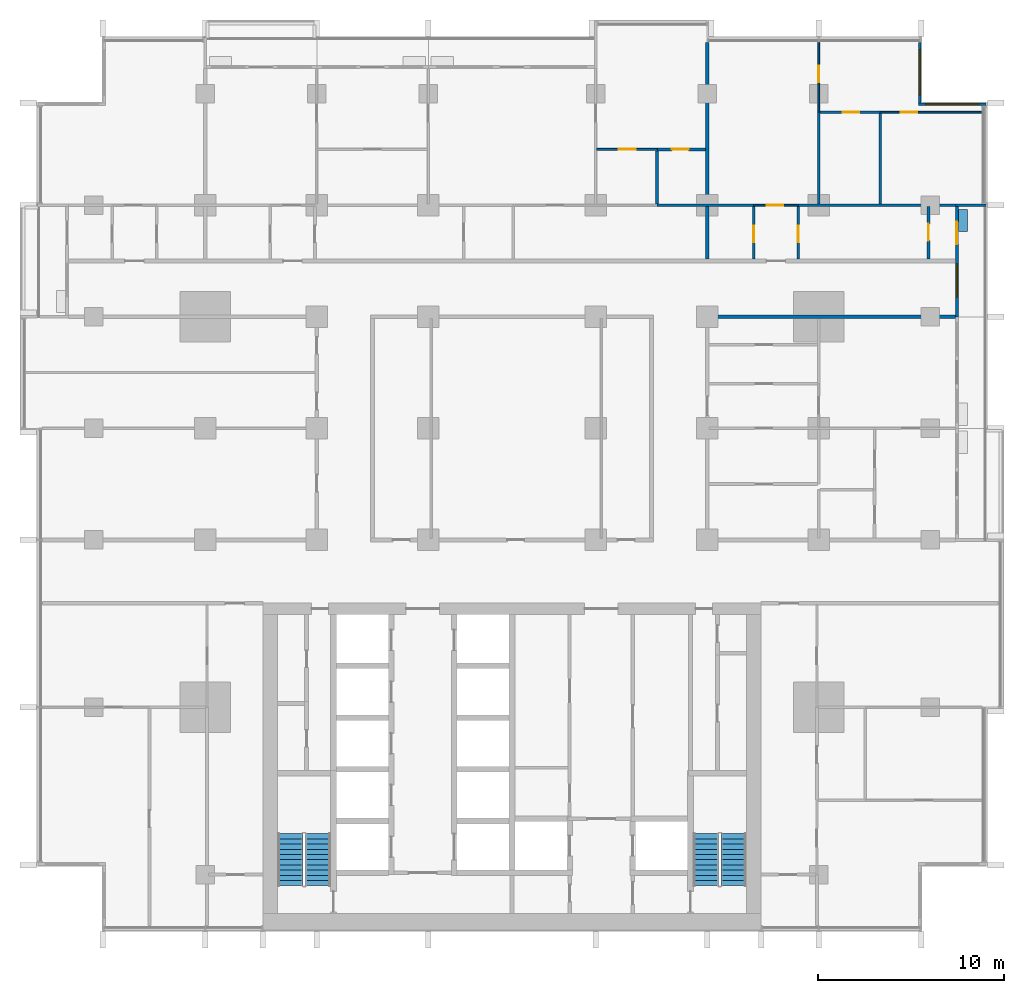
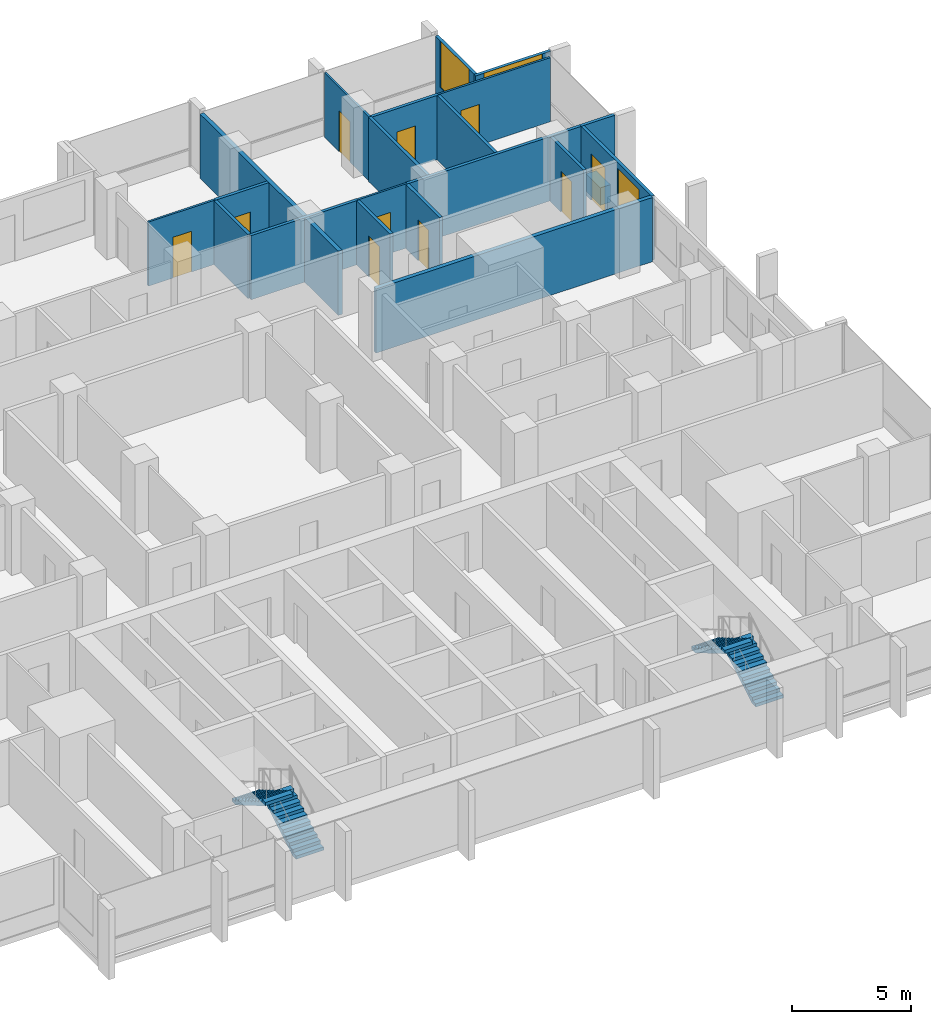
# One storey, part 12 of 17: 22 walls, 10 doors, 4 stair flights, 3 windows, 13 openings, 2 elements without a shape of their own.
"""IFC4 building model written with IfcOpenShell, lengths in metres."""

from ifc_helpers import new_model, si_unit, direction, frame, frame_2d, origin, place, context, subcontext, project, spatial, polyline, rectangle, outline, extrude, material, layer, layer_set, type_object, element, fill, aggregate, save


model = new_model("IFC4")

# Units and contexts
model_context = context("Model", 3, precision=1e-05, world=origin(), true_north=direction((0.0, 1.0)))
body_context = subcontext(model_context, "Body", "Model", "MODEL_VIEW")
ifc_project = project(units=[si_unit("LENGTHUNIT", "METRE"), si_unit("AREAUNIT", "SQUARE_METRE"), si_unit("VOLUMEUNIT", "CUBIC_METRE"), si_unit("PLANEANGLEUNIT", "RADIAN"), si_unit("MASSUNIT", "GRAM", prefix="KILO")], contexts=[model_context])

# Site, building, storey
site_placement = place(None, origin())
site = spatial("IfcSite", under=ifc_project, at=site_placement, CompositionType="ELEMENT")
building_placement = place(site_placement, origin())
building = spatial("IfcBuilding", under=site, at=building_placement, Name="Finial Court Residences", CompositionType="ELEMENT")
storey_placement = place(building_placement, frame((0.0, 0.0, 95.5)))
storey = spatial("IfcBuildingStorey", under=building, at=storey_placement, Name="L23", CompositionType="ELEMENT", Elevation=95.5)

# Walls
ifc_material_1 = material(Name="Gypsum board")
ifc_layer_1 = layer(ifc_material_1, 0.02490234375)
ifc_material_2 = material(Name="Acoustic mineral wool in double frame")
ifc_layer_2 = layer(ifc_material_2, 0.14990234375)
ifc_layer_3 = layer(ifc_material_1, 0.02490234375)
ifc_layer_set_1 = layer_set([ifc_layer_1, ifc_layer_2, ifc_layer_3], Name="Acoustic party wall 200, 1 hour")
wall_type_1 = type_object("IfcWallType", Name="Acoustic party wall 200, 1 hour", PredefinedType="PARTITIONING", material=ifc_layer_set_1)
wall_1_placement = place(storey_placement, frame((10.5, 10.60009765625, 0.0), z_axis=(0.0, 0.0, 1.0), x_axis=(0.0, 1.0, 0.0)))
element("IfcWall", 1, at=wall_1_placement, inside=storey, type_object=wall_type_1, Name="Partition L23-060", PredefinedType="PARTITIONING", context=body_context, shape_type="SweptSolid", body=[
    extrude(rectangle(XDim=2.824951171875, YDim=0.199951171875, at=frame_2d((1.41259765625, 0.0))), origin(), (0.0, 0.0, 1.0), 3.300048828125),
])
wall_2_placement = place(storey_placement, frame((10.5, 13.574951171875, 0.0), z_axis=(0.0, 0.0, 1.0), x_axis=(0.0, 1.0, 0.0)))
element("IfcWall", 2, at=wall_2_placement, inside=storey, type_object=wall_type_1, Name="Partition L23-061", PredefinedType="PARTITIONING", context=body_context, shape_type="SweptSolid", body=[
    extrude(rectangle(XDim=8.675048828125, YDim=0.199951171875, at=frame_2d((4.33740234375, 0.0))), origin(), (0.0, 0.0, 1.0), 3.300048828125),
])
ifc_layer_4 = layer(ifc_material_1, 0.02490234375)
ifc_layer_5 = layer(ifc_material_2, 0.14990234375)
ifc_layer_6 = layer(ifc_material_1, 0.02490234375)
ifc_layer_set_2 = layer_set([ifc_layer_4, ifc_layer_5, ifc_layer_6], Name="Corridor wall 200, 1 hour")
wall_type_2 = type_object("IfcWallType", Name="Corridor wall 200, 1 hour", PredefinedType="PARTITIONING", material=ifc_layer_set_2)
wall_3_placement = place(storey_placement, frame((10.39990234375, 7.5, 0.0), z_axis=(0.0, 0.0, 1.0), x_axis=(1.0, 0.0, 0.0)))
element("IfcWall", 3, at=wall_3_placement, inside=storey, type_object=wall_type_2, Name="Partition L23-023", PredefinedType="PARTITIONING", context=body_context, shape_type="SweptSolid", body=[
    extrude(rectangle(XDim=13.4501953125, YDim=0.199951171875, at=frame_2d((6.72509765625, 0.0))), origin(), (0.0, 0.0, 1.0), 3.300048828125),
])

# Wall, opening, door
ifc_layer_7 = layer(ifc_material_1, 0.012451171875)
ifc_material_3 = material(Name="Mineral wool in light-gauge frame")
ifc_layer_8 = layer(ifc_material_3, 0.074951171875)
ifc_layer_9 = layer(ifc_material_1, 0.012451171875)
ifc_layer_set_3 = layer_set([ifc_layer_7, ifc_layer_8, ifc_layer_9], Name="Gypsum board partition 100")
wall_type_3 = type_object("IfcWallType", Name="Gypsum board partition 100", PredefinedType="PARTITIONING", material=ifc_layer_set_3)
wall_4_placement = place(storey_placement, frame((13.0, 13.5, 0.0), z_axis=(0.0, 0.0, 1.0), x_axis=(1.0, 0.0, 0.0)))
wall_4 = element("IfcWall", 4, at=wall_4_placement, inside=storey, type_object=wall_type_3, Name="Partition L23-028", PredefinedType="PARTITIONING", context=body_context, shape_type="SweptSolid", body=[
    extrude(rectangle(XDim=2.39990234375, YDim=0.10009765625, at=frame_2d((1.199951171875, 0.0))), origin(), (0.0, 0.0, 1.0), 3.300048828125),
])
opening_1_placement = place(wall_4_placement, frame((0.699951171875, 0.0, 0.0)))
opening_1 = element("IfcOpeningElement", 5, at=opening_1_placement, cuts=wall_4, Name="Opening L23-D021", PredefinedType="OPENING", context=body_context, shape_type="SweptSolid", body=[
    extrude(rectangle(XDim=0.89990234375, YDim=2.10009765625, at=frame_2d((0.449951171875, 1.050048828125))), frame((0.0, 0.06005859375, 0.0), z_axis=(0.0, -1.0, 0.0), x_axis=(1.0, 0.0, 0.0)), (0.0, 0.0, 1.0), 0.1201171875),
])
ifc_material_4 = material(Name="Timber door leaf in timber frame", Category="wood")
door_type_1 = type_object("IfcDoorType", Name="Door set 900 x 2100", OperationType="SINGLE_SWING_LEFT", PredefinedType="DOOR", material=ifc_material_4)
door_1_placement = place(opening_1_placement, origin())
door_1 = element("IfcDoor", 6, at=door_1_placement, inside=storey, type_object=door_type_1, Name="Door L23-D021", OperationType="SINGLE_SWING_LEFT", OverallHeight=2.10009765625, OverallWidth=0.89990234375, PredefinedType="DOOR", context=body_context, shape_type="SweptSolid", body=[
    extrude(rectangle(XDim=0.89990234375, YDim=2.10009765625, at=frame_2d((0.449951171875, 1.050048828125))), frame((0.0, 0.02490234375, 0.0), z_axis=(0.0, -1.0, 0.0), x_axis=(1.0, 0.0, 0.0)), (0.0, 0.0, 1.0), 0.050048828125),
])
fill(opening_1, door_1)

wall_5_placement = place(storey_placement, frame((4.550048828125, 16.5, 0.0), z_axis=(0.0, 0.0, 1.0), x_axis=(1.0, 0.0, 0.0)))
wall_5 = element("IfcWall", 7, at=wall_5_placement, inside=storey, type_object=wall_type_3, Name="Partition L23-035", PredefinedType="PARTITIONING", context=body_context, shape_type="SweptSolid", body=[
    extrude(rectangle(XDim=3.25, YDim=0.10009765625, at=frame_2d((1.625, 0.0))), origin(), (0.0, 0.0, 1.0), 3.300048828125),
])
opening_2_placement = place(wall_5_placement, frame((1.199951171875, 0.0, 0.0)))
opening_2 = element("IfcOpeningElement", 8, at=opening_2_placement, cuts=wall_5, Name="Opening L23-D023", PredefinedType="OPENING", context=body_context, shape_type="SweptSolid", body=[
    extrude(rectangle(XDim=0.89990234375, YDim=2.10009765625, at=frame_2d((0.449951171875, 1.050048828125))), frame((0.0, 0.06005859375, 0.0), z_axis=(0.0, -1.0, 0.0), x_axis=(1.0, 0.0, 0.0)), (0.0, 0.0, 1.0), 0.1201171875),
])
door_2_placement = place(opening_2_placement, origin())
door_2 = element("IfcDoor", 9, at=door_2_placement, inside=storey, type_object=door_type_1, Name="Door L23-D023", OperationType="SINGLE_SWING_LEFT", OverallHeight=2.10009765625, OverallWidth=0.89990234375, PredefinedType="DOOR", context=body_context, shape_type="SweptSolid", body=[
    extrude(rectangle(XDim=0.89990234375, YDim=2.10009765625, at=frame_2d((0.449951171875, 1.050048828125))), frame((0.0, 0.02490234375, 0.0), z_axis=(0.0, -1.0, 0.0), x_axis=(1.0, 0.0, 0.0)), (0.0, 0.0, 1.0), 0.050048828125),
])
fill(opening_2, door_2)

wall_6_placement = place(storey_placement, frame((19.800048828125, 18.5, 0.0), z_axis=(0.0, 0.0, 1.0), x_axis=(1.0, 0.0, 0.0)))
wall_6 = element("IfcWall", 10, at=wall_6_placement, inside=storey, type_object=wall_type_3, Name="Partition L23-037", PredefinedType="PARTITIONING", context=body_context, shape_type="SweptSolid", body=[
    extrude(rectangle(XDim=5.449951171875, YDim=0.10009765625, at=frame_2d((2.72509765625, 0.0))), origin(), (0.0, 0.0, 1.0), 3.300048828125),
])
opening_3_placement = place(wall_6_placement, frame((1.10009765625, 0.0, 0.0)))
opening_3 = element("IfcOpeningElement", 11, at=opening_3_placement, cuts=wall_6, Name="Opening L23-D025", PredefinedType="OPENING", context=body_context, shape_type="SweptSolid", body=[
    extrude(rectangle(XDim=0.89990234375, YDim=2.10009765625, at=frame_2d((0.449951171875, 1.050048828125))), frame((0.0, 0.06005859375, 0.0), z_axis=(0.0, -1.0, 0.0), x_axis=(1.0, 0.0, 0.0)), (0.0, 0.0, 1.0), 0.1201171875),
])
door_3_placement = place(opening_3_placement, origin())
door_3 = element("IfcDoor", 12, at=door_3_placement, inside=storey, type_object=door_type_1, Name="Door L23-D025", OperationType="SINGLE_SWING_LEFT", OverallHeight=2.10009765625, OverallWidth=0.89990234375, PredefinedType="DOOR", context=body_context, shape_type="SweptSolid", body=[
    extrude(rectangle(XDim=0.89990234375, YDim=2.10009765625, at=frame_2d((0.449951171875, 1.050048828125))), frame((0.0, 0.02490234375, 0.0), z_axis=(0.0, -1.0, 0.0), x_axis=(1.0, 0.0, 0.0)), (0.0, 0.0, 1.0), 0.050048828125),
])
fill(opening_3, door_3)

wall_7_placement = place(storey_placement, frame((16.5, 18.5, 0.0), z_axis=(0.0, 0.0, 1.0), x_axis=(0.0, 1.0, 0.0)))
wall_7 = element("IfcWall", 13, at=wall_7_placement, inside=storey, type_object=wall_type_3, Name="Partition L23-069", PredefinedType="PARTITIONING", context=body_context, shape_type="SweptSolid", body=[
    extrude(rectangle(XDim=3.75, YDim=0.10009765625, at=frame_2d((1.875, 0.0))), origin(), (0.0, 0.0, 1.0), 3.300048828125),
])
opening_4_placement = place(wall_7_placement, frame((1.60009765625, 0.0, 0.0)))
opening_4 = element("IfcOpeningElement", 14, at=opening_4_placement, cuts=wall_7, Name="Opening L23-D047", PredefinedType="OPENING", context=body_context, shape_type="SweptSolid", body=[
    extrude(rectangle(XDim=0.89990234375, YDim=2.10009765625, at=frame_2d((0.449951171875, 1.050048828125))), frame((0.0, 0.06005859375, 0.0), z_axis=(0.0, -1.0, 0.0), x_axis=(1.0, 0.0, 0.0)), (0.0, 0.0, 1.0), 0.1201171875),
])
door_4_placement = place(opening_4_placement, origin())
door_4 = element("IfcDoor", 15, at=door_4_placement, inside=storey, type_object=door_type_1, Name="Door L23-D047", OperationType="SINGLE_SWING_RIGHT", OverallHeight=2.10009765625, OverallWidth=0.89990234375, PredefinedType="DOOR", context=body_context, shape_type="SweptSolid", body=[
    extrude(rectangle(XDim=0.89990234375, YDim=2.10009765625, at=frame_2d((0.449951171875, 1.050048828125))), frame((0.0, 0.02490234375, 0.0), z_axis=(0.0, -1.0, 0.0), x_axis=(1.0, 0.0, 0.0)), (0.0, 0.0, 1.0), 0.050048828125),
])
fill(opening_4, door_4)

# Walls
ifc_material_5 = material(Name="Moisture-resistant gypsum board")
ifc_layer_10 = layer(ifc_material_5, 0.012451171875)
ifc_layer_11 = layer(ifc_material_3, 0.125)
ifc_layer_12 = layer(ifc_material_5, 0.012451171875)
ifc_layer_set_4 = layer_set([ifc_layer_10, ifc_layer_11, ifc_layer_12], Name="Gypsum board wet-area partition 150")
wall_type_4 = type_object("IfcWallType", Name="Gypsum board wet-area partition 150", PredefinedType="PARTITIONING", material=ifc_layer_set_4)
wall_8_placement = place(storey_placement, frame((7.800048828125, 13.5, 0.0), z_axis=(0.0, 0.0, 1.0), x_axis=(1.0, 0.0, 0.0)))
element("IfcWall", 16, at=wall_8_placement, inside=storey, type_object=wall_type_4, Name="Partition L23-032", PredefinedType="PARTITIONING", context=body_context, shape_type="SweptSolid", body=[
    extrude(rectangle(XDim=5.199951171875, YDim=0.14990234375, at=frame_2d((2.60009765625, 0.0))), origin(), (0.0, 0.0, 1.0), 3.300048828125),
])
wall_9_placement = place(storey_placement, frame((15.39990234375, 13.5, 0.0), z_axis=(0.0, 0.0, 1.0), x_axis=(1.0, 0.0, 0.0)))
element("IfcWall", 17, at=wall_9_placement, inside=storey, type_object=wall_type_4, Name="Partition L23-033", PredefinedType="PARTITIONING", context=body_context, shape_type="SweptSolid", body=[
    extrude(rectangle(XDim=8.4501953125, YDim=0.14990234375, at=frame_2d((4.22509765625, 0.0))), origin(), (0.0, 0.0, 1.0), 3.300048828125),
])

# Wall, opening, door
wall_10_placement = place(storey_placement, frame((7.800048828125, 16.5, 0.0), z_axis=(0.0, 0.0, 1.0), x_axis=(1.0, 0.0, 0.0)))
wall_10 = element("IfcWall", 18, at=wall_10_placement, inside=storey, type_object=wall_type_4, Name="Partition L23-036", PredefinedType="PARTITIONING", context=body_context, shape_type="SweptSolid", body=[
    extrude(rectangle(XDim=2.599853515625, YDim=0.14990234375, at=frame_2d((1.2998046875, 0.0))), origin(), (0.0, 0.0, 1.0), 3.300048828125),
])
opening_5_placement = place(wall_10_placement, frame((0.800048828125, 0.0, 0.0)))
opening_5 = element("IfcOpeningElement", 19, at=opening_5_placement, cuts=wall_10, Name="Opening L23-D024", PredefinedType="OPENING", context=body_context, shape_type="SweptSolid", body=[
    extrude(rectangle(XDim=0.89990234375, YDim=2.10009765625, at=frame_2d((0.449951171875, 1.050048828125))), frame((0.0, 0.0849609375, 0.0), z_axis=(0.0, -1.0, 0.0), x_axis=(1.0, 0.0, 0.0)), (0.0, 0.0, 1.0), 0.169921875),
])
door_5_placement = place(opening_5_placement, origin())
door_5 = element("IfcDoor", 20, at=door_5_placement, inside=storey, type_object=door_type_1, Name="Door L23-D024", OperationType="SINGLE_SWING_LEFT", OverallHeight=2.10009765625, OverallWidth=0.89990234375, PredefinedType="DOOR", context=body_context, shape_type="SweptSolid", body=[
    extrude(rectangle(XDim=0.89990234375, YDim=2.10009765625, at=frame_2d((0.449951171875, 1.050048828125))), frame((0.0, 0.02490234375, 0.0), z_axis=(0.0, -1.0, 0.0), x_axis=(1.0, 0.0, 0.0)), (0.0, 0.0, 1.0), 0.050048828125),
])
fill(opening_5, door_5)

wall_11_placement = place(storey_placement, frame((16.574951171875, 18.5, 0.0), z_axis=(0.0, 0.0, 1.0), x_axis=(1.0, 0.0, 0.0)))
wall_11 = element("IfcWall", 21, at=wall_11_placement, inside=storey, type_object=wall_type_4, Name="Partition L23-038", PredefinedType="PARTITIONING", context=body_context, shape_type="SweptSolid", body=[
    extrude(rectangle(XDim=3.22509765625, YDim=0.14990234375, at=frame_2d((1.612548828125, 0.0))), origin(), (0.0, 0.0, 1.0), 3.300048828125),
])
opening_6_placement = place(wall_11_placement, frame((1.199951171875, 0.0, 0.0)))
opening_6 = element("IfcOpeningElement", 22, at=opening_6_placement, cuts=wall_11, Name="Opening L23-D026", PredefinedType="OPENING", context=body_context, shape_type="SweptSolid", body=[
    extrude(rectangle(XDim=0.89990234375, YDim=2.10009765625, at=frame_2d((0.449951171875, 1.050048828125))), frame((0.0, 0.0849609375, 0.0), z_axis=(0.0, -1.0, 0.0), x_axis=(1.0, 0.0, 0.0)), (0.0, 0.0, 1.0), 0.169921875),
])
door_6_placement = place(opening_6_placement, origin())
door_6 = element("IfcDoor", 23, at=door_6_placement, inside=storey, type_object=door_type_1, Name="Door L23-D026", OperationType="SINGLE_SWING_LEFT", OverallHeight=2.10009765625, OverallWidth=0.89990234375, PredefinedType="DOOR", context=body_context, shape_type="SweptSolid", body=[
    extrude(rectangle(XDim=0.89990234375, YDim=2.10009765625, at=frame_2d((0.449951171875, 1.050048828125))), frame((0.0, 0.02490234375, 0.0), z_axis=(0.0, -1.0, 0.0), x_axis=(1.0, 0.0, 0.0)), (0.0, 0.0, 1.0), 0.050048828125),
])
fill(opening_6, door_6)

# Wall
wall_12_placement = place(storey_placement, frame((7.800048828125, 13.574951171875, 0.0), z_axis=(0.0, 0.0, 1.0), x_axis=(0.0, 1.0, 0.0)))
element("IfcWall", 24, at=wall_12_placement, inside=storey, type_object=wall_type_4, Name="Partition L23-058", PredefinedType="PARTITIONING", context=body_context, shape_type="SweptSolid", body=[
    extrude(rectangle(XDim=2.85009765625, YDim=0.14990234375, at=frame_2d((1.425048828125, 0.0))), origin(), (0.0, 0.0, 1.0), 3.300048828125),
])

# Wall, opening, door
wall_13_placement = place(storey_placement, frame((13.0, 10.60009765625, 0.0), z_axis=(0.0, 0.0, 1.0), x_axis=(0.0, 1.0, 0.0)))
wall_13 = element("IfcWall", 25, at=wall_13_placement, inside=storey, type_object=wall_type_4, Name="Partition L23-062", PredefinedType="PARTITIONING", context=body_context, shape_type="SweptSolid", body=[
    extrude(rectangle(XDim=2.824951171875, YDim=0.14990234375, at=frame_2d((1.41259765625, 0.0))), origin(), (0.0, 0.0, 1.0), 3.300048828125),
])
opening_7_placement = place(wall_13_placement, frame((0.89990234375, 0.0, 0.0)))
opening_7 = element("IfcOpeningElement", 26, at=opening_7_placement, cuts=wall_13, Name="Opening L23-D041", PredefinedType="OPENING", context=body_context, shape_type="SweptSolid", body=[
    extrude(rectangle(XDim=0.89990234375, YDim=2.10009765625, at=frame_2d((0.449951171875, 1.050048828125))), frame((0.0, 0.0849609375, 0.0), z_axis=(0.0, -1.0, 0.0), x_axis=(1.0, 0.0, 0.0)), (0.0, 0.0, 1.0), 0.169921875),
])
door_7_placement = place(opening_7_placement, origin())
door_7 = element("IfcDoor", 27, at=door_7_placement, inside=storey, type_object=door_type_1, Name="Door L23-D041", OperationType="SINGLE_SWING_LEFT", OverallHeight=2.10009765625, OverallWidth=0.89990234375, PredefinedType="DOOR", context=body_context, shape_type="SweptSolid", body=[
    extrude(rectangle(XDim=0.89990234375, YDim=2.10009765625, at=frame_2d((0.449951171875, 1.050048828125))), frame((0.0, 0.02490234375, 0.0), z_axis=(0.0, -1.0, 0.0), x_axis=(1.0, 0.0, 0.0)), (0.0, 0.0, 1.0), 0.050048828125),
])
fill(opening_7, door_7)

wall_14_placement = place(storey_placement, frame((15.39990234375, 10.60009765625, 0.0), z_axis=(0.0, 0.0, 1.0), x_axis=(0.0, 1.0, 0.0)))
wall_14 = element("IfcWall", 28, at=wall_14_placement, inside=storey, type_object=wall_type_4, Name="Partition L23-063", PredefinedType="PARTITIONING", context=body_context, shape_type="SweptSolid", body=[
    extrude(rectangle(XDim=2.824951171875, YDim=0.14990234375, at=frame_2d((1.41259765625, 0.0))), origin(), (0.0, 0.0, 1.0), 3.300048828125),
])
opening_8_placement = place(wall_14_placement, frame((0.89990234375, 0.0, 0.0)))
opening_8 = element("IfcOpeningElement", 29, at=opening_8_placement, cuts=wall_14, Name="Opening L23-D042", PredefinedType="OPENING", context=body_context, shape_type="SweptSolid", body=[
    extrude(rectangle(XDim=0.89990234375, YDim=2.10009765625, at=frame_2d((0.449951171875, 1.050048828125))), frame((0.0, 0.0849609375, 0.0), z_axis=(0.0, -1.0, 0.0), x_axis=(1.0, 0.0, 0.0)), (0.0, 0.0, 1.0), 0.169921875),
])
door_8_placement = place(opening_8_placement, origin())
door_8 = element("IfcDoor", 30, at=door_8_placement, inside=storey, type_object=door_type_1, Name="Door L23-D042", OperationType="SINGLE_SWING_LEFT", OverallHeight=2.10009765625, OverallWidth=0.89990234375, PredefinedType="DOOR", context=body_context, shape_type="SweptSolid", body=[
    extrude(rectangle(XDim=0.89990234375, YDim=2.10009765625, at=frame_2d((0.449951171875, 1.050048828125))), frame((0.0, 0.02490234375, 0.0), z_axis=(0.0, -1.0, 0.0), x_axis=(1.0, 0.0, 0.0)), (0.0, 0.0, 1.0), 0.050048828125),
])
fill(opening_8, door_8)

# Walls
wall_15_placement = place(storey_placement, frame((16.5, 13.574951171875, 0.0), z_axis=(0.0, 0.0, 1.0), x_axis=(0.0, 1.0, 0.0)))
element("IfcWall", 31, at=wall_15_placement, inside=storey, type_object=wall_type_4, Name="Partition L23-073", PredefinedType="PARTITIONING", context=body_context, shape_type="SweptSolid", body=[
    extrude(rectangle(XDim=4.925048828125, YDim=0.14990234375, at=frame_2d((2.46240234375, 0.0))), origin(), (0.0, 0.0, 1.0), 3.300048828125),
])
wall_16_placement = place(storey_placement, frame((19.800048828125, 13.574951171875, 0.0), z_axis=(0.0, 0.0, 1.0), x_axis=(0.0, 1.0, 0.0)))
element("IfcWall", 32, at=wall_16_placement, inside=storey, type_object=wall_type_4, Name="Partition L23-077", PredefinedType="PARTITIONING", context=body_context, shape_type="SweptSolid", body=[
    extrude(rectangle(XDim=4.85009765625, YDim=0.14990234375, at=frame_2d((2.425048828125, 0.0))), origin(), (0.0, 0.0, 1.0), 3.300048828125),
])

# Wall, opening, door
wall_17_placement = place(storey_placement, frame((22.39990234375, 10.60009765625, 0.0), z_axis=(0.0, 0.0, 1.0), x_axis=(0.0, 1.0, 0.0)))
wall_17 = element("IfcWall", 33, at=wall_17_placement, inside=storey, type_object=wall_type_4, Name="Partition L23-078", PredefinedType="PARTITIONING", context=body_context, shape_type="SweptSolid", body=[
    extrude(rectangle(XDim=2.824951171875, YDim=0.14990234375, at=frame_2d((1.41259765625, 0.0))), origin(), (0.0, 0.0, 1.0), 3.300048828125),
])
opening_9_placement = place(wall_17_placement, frame((1.0, 0.0, 0.0)))
opening_9 = element("IfcOpeningElement", 34, at=opening_9_placement, cuts=wall_17, Name="Opening L23-D050", PredefinedType="OPENING", context=body_context, shape_type="SweptSolid", body=[
    extrude(rectangle(XDim=0.89990234375, YDim=2.10009765625, at=frame_2d((0.449951171875, 1.050048828125))), frame((0.0, 0.0849609375, 0.0), z_axis=(0.0, -1.0, 0.0), x_axis=(1.0, 0.0, 0.0)), (0.0, 0.0, 1.0), 0.169921875),
])
door_9_placement = place(opening_9_placement, origin())
door_9 = element("IfcDoor", 35, at=door_9_placement, inside=storey, type_object=door_type_1, Name="Door L23-D050", OperationType="SINGLE_SWING_RIGHT", OverallHeight=2.10009765625, OverallWidth=0.89990234375, PredefinedType="DOOR", context=body_context, shape_type="SweptSolid", body=[
    extrude(rectangle(XDim=0.89990234375, YDim=2.10009765625, at=frame_2d((0.449951171875, 1.050048828125))), frame((0.0, 0.02490234375, 0.0), z_axis=(0.0, -1.0, 0.0), x_axis=(1.0, 0.0, 0.0)), (0.0, 0.0, 1.0), 0.050048828125),
])
fill(opening_9, door_9)

# Wall, opening, window
ifc_material_6 = material(Name="Natural limestone", Category="masonry")
ifc_layer_13 = layer(ifc_material_6, 0.14990234375)
ifc_layer_set_5 = layer_set([ifc_layer_13], Name="Limestone clad wall 150")
wall_type_5 = type_object("IfcWallType", Name="Limestone clad wall 150", PredefinedType="SOLIDWALL", material=ifc_layer_set_5)
wall_18_placement = place(storey_placement, frame((21.925048828125, 22.25, 0.0), z_axis=(0.0, 0.0, 1.0), x_axis=(0.0, -1.0, 0.0)))
wall_18 = element("IfcWall", 36, at=wall_18_placement, inside=storey, type_object=wall_type_5, Name="E-L23-NWE18", PredefinedType="SOLIDWALL", context=body_context, shape_type="SweptSolid", body=[
    extrude(rectangle(XDim=3.25, YDim=0.14990234375, at=frame_2d((1.625, 0.0))), origin(), (0.0, 0.0, 1.0), 3.300048828125),
])
opening_10_placement = place(wall_18_placement, frame((0.39990234375, 0.0, 0.89990234375)))
opening_10 = element("IfcOpeningElement", 37, at=opening_10_placement, cuts=wall_18, Name="Opening WE23-07", PredefinedType="OPENING", context=body_context, shape_type="SweptSolid", body=[
    extrude(rectangle(XDim=2.449951171875, YDim=2.39990234375, at=frame_2d((1.22509765625, 1.199951171875))), frame((0.0, 0.0849609375, 0.0), z_axis=(0.0, -1.0, 0.0), x_axis=(1.0, 0.0, 0.0)), (0.0, 0.0, 1.0), 0.169921875),
])
ifc_material_7 = material(Name="Clear low-e glass", Category="glass")
window_type_1 = type_object("IfcWindowType", Name="Corner window 2450 x 2400", PartitioningType="SINGLE_PANEL", PredefinedType="WINDOW", material=ifc_material_7)
window_1_placement = place(opening_10_placement, origin())
window_1 = element("IfcWindow", 38, at=window_1_placement, inside=storey, type_object=window_type_1, Name="E-L23-NWE18-W1", OverallHeight=2.39990234375, OverallWidth=2.449951171875, PartitioningType="SINGLE_PANEL", PredefinedType="WINDOW", context=body_context, shape_type="SweptSolid", body=[
    extrude(rectangle(XDim=2.449951171875, YDim=2.39990234375, at=frame_2d((1.22509765625, 1.199951171875))), frame((0.0, 0.030029296875, 0.0), z_axis=(0.0, -1.0, 0.0), x_axis=(1.0, 0.0, 0.0)), (0.0, 0.0, 1.0), 0.06005859375),
])
fill(opening_10, window_1)

wall_19_placement = place(storey_placement, frame((21.85009765625, 18.925048828125, 0.0), z_axis=(0.0, 0.0, 1.0), x_axis=(1.0, 0.0, 0.0)))
wall_19 = element("IfcWall", 39, at=wall_19_placement, inside=storey, type_object=wall_type_5, Name="E-L23-NWN19", PredefinedType="SOLIDWALL", context=body_context, shape_type="SweptSolid", body=[
    extrude(rectangle(XDim=3.64990234375, YDim=0.14990234375, at=frame_2d((1.824951171875, 0.0))), origin(), (0.0, 0.0, 1.0), 3.300048828125),
])
opening_11_placement = place(wall_19_placement, frame((0.39990234375, 0.0, 0.89990234375)))
opening_11 = element("IfcOpeningElement", 40, at=opening_11_placement, cuts=wall_19, Name="Opening WE23-08", PredefinedType="OPENING", context=body_context, shape_type="SweptSolid", body=[
    extrude(rectangle(XDim=2.85009765625, YDim=2.39990234375, at=frame_2d((1.425048828125, 1.199951171875))), frame((0.0, 0.0849609375, 0.0), z_axis=(0.0, -1.0, 0.0), x_axis=(1.0, 0.0, 0.0)), (0.0, 0.0, 1.0), 0.169921875),
])
window_type_2 = type_object("IfcWindowType", Name="Corner window 2850 x 2400", PartitioningType="SINGLE_PANEL", PredefinedType="WINDOW", material=ifc_material_7)
window_2_placement = place(opening_11_placement, origin())
window_2 = element("IfcWindow", 41, at=window_2_placement, inside=storey, type_object=window_type_2, Name="E-L23-NWN19-W1", OverallHeight=2.39990234375, OverallWidth=2.85009765625, PartitioningType="SINGLE_PANEL", PredefinedType="WINDOW", context=body_context, shape_type="SweptSolid", body=[
    extrude(rectangle(XDim=2.85009765625, YDim=2.39990234375, at=frame_2d((1.425048828125, 1.199951171875))), frame((0.0, 0.030029296875, 0.0), z_axis=(0.0, -1.0, 0.0), x_axis=(1.0, 0.0, 0.0)), (0.0, 0.0, 1.0), 0.06005859375),
])
fill(opening_11, window_2)

# Wall
wall_20_placement = place(storey_placement, frame((23.85009765625, 13.5, 0.0), z_axis=(0.0, 0.0, 1.0), x_axis=(1.0, 0.0, 0.0)))
element("IfcWall", 42, at=wall_20_placement, inside=storey, type_object=wall_type_5, Name="E-L23-BALE5-P2", PredefinedType="SOLIDWALL", context=body_context, shape_type="SweptSolid", body=[
    extrude(rectangle(XDim=1.64990234375, YDim=0.14990234375, at=frame_2d((0.824951171875, 0.0))), origin(), (0.0, 0.0, 1.0), 3.300048828125),
])

# Wall, openings, door, window
wall_21_placement = place(storey_placement, frame((23.925048828125, 13.425048828125, 0.0), z_axis=(0.0, 0.0, 1.0), x_axis=(0.0, -1.0, 0.0)))
wall_21 = element("IfcWall", 43, at=wall_21_placement, inside=storey, type_object=wall_type_5, Name="E-L23-L23-BALE5-W", PredefinedType="SOLIDWALL", context=body_context, shape_type="SweptSolid", body=[
    extrude(rectangle(XDim=5.925048828125, YDim=0.14990234375, at=frame_2d((2.96240234375, 0.0))), origin(), (0.0, 0.0, 1.0), 3.300048828125),
])
opening_12_placement = place(wall_21_placement, frame((0.824951171875, 0.0, 0.0)))
opening_12 = element("IfcOpeningElement", 44, at=opening_12_placement, cuts=wall_21, Name="Opening DE23-06", PredefinedType="OPENING", context=body_context, shape_type="SweptSolid", body=[
    extrude(rectangle(XDim=1.199951171875, YDim=2.39990234375, at=frame_2d((0.60009765625, 1.199951171875))), frame((0.0, 0.0849609375, 0.0), z_axis=(0.0, -1.0, 0.0), x_axis=(1.0, 0.0, 0.0)), (0.0, 0.0, 1.0), 0.169921875),
])
opening_13_placement = place(wall_21_placement, frame((3.074951171875, 0.0, 0.89990234375)))
opening_13 = element("IfcOpeningElement", 45, at=opening_13_placement, cuts=wall_21, Name="Opening WE23-19", PredefinedType="OPENING", context=body_context, shape_type="SweptSolid", body=[
    extrude(rectangle(XDim=1.800048828125, YDim=2.10009765625, at=frame_2d((0.89990234375, 1.050048828125))), frame((0.0, 0.0849609375, 0.0), z_axis=(0.0, -1.0, 0.0), x_axis=(1.0, 0.0, 0.0)), (0.0, 0.0, 1.0), 0.169921875),
])
ifc_material_8 = material(Name="Bronze anodised aluminium", Category="aluminium")
door_type_2 = type_object("IfcDoorType", Name="Balcony door 1200 x 2400", OperationType="SINGLE_SWING_LEFT", PredefinedType="DOOR", material=ifc_material_8)
door_10_placement = place(opening_12_placement, origin())
door_10 = element("IfcDoor", 46, at=door_10_placement, inside=storey, type_object=door_type_2, Name="E-L23-L23-BALE5-W-D", OperationType="SINGLE_SWING_RIGHT", OverallHeight=2.39990234375, OverallWidth=1.199951171875, PredefinedType="DOOR", context=body_context, shape_type="SweptSolid", body=[
    extrude(rectangle(XDim=1.199951171875, YDim=2.39990234375, at=frame_2d((0.60009765625, 1.199951171875))), frame((0.0, 0.02490234375, 0.0), z_axis=(0.0, -1.0, 0.0), x_axis=(1.0, 0.0, 0.0)), (0.0, 0.0, 1.0), 0.050048828125),
])
fill(opening_12, door_10)
window_type_3 = type_object("IfcWindowType", Name="Balcony window 1800 x 2100", PartitioningType="SINGLE_PANEL", PredefinedType="WINDOW", material=ifc_material_7)
window_3_placement = place(opening_13_placement, origin())
window_3 = element("IfcWindow", 47, at=window_3_placement, inside=storey, type_object=window_type_3, Name="E-L23-L23-BALE5-W-W1", OverallHeight=2.10009765625, OverallWidth=1.800048828125, PartitioningType="SINGLE_PANEL", PredefinedType="WINDOW", context=body_context, shape_type="SweptSolid", body=[
    extrude(rectangle(XDim=1.800048828125, YDim=2.10009765625, at=frame_2d((0.89990234375, 1.050048828125))), frame((0.0, 0.030029296875, 0.0), z_axis=(0.0, -1.0, 0.0), x_axis=(1.0, 0.0, 0.0)), (0.0, 0.0, 1.0), 0.06005859375),
])
fill(opening_13, window_3)

# Wall
ifc_material_9 = material(Name="Concrete C40/50", Category="concrete")
ifc_layer_14 = layer(ifc_material_9, 0.10009765625)
ifc_material_10 = material(Name="Planting soil", Category="soil")
ifc_layer_15 = layer(ifc_material_10, 0.300048828125)
ifc_layer_16 = layer(ifc_material_9, 0.10009765625)
ifc_layer_set_6 = layer_set([ifc_layer_14, ifc_layer_15, ifc_layer_16], Name="Planter wall, balcony")
wall_type_6 = type_object("IfcWallType", Name="Planter wall, balcony", PredefinedType="USERDEFINED", material=ifc_layer_set_6)
wall_22_placement = place(storey_placement, frame((24.25, 12.074951171875, 0.0), z_axis=(0.0, 0.0, 1.0), x_axis=(0.0, 1.0, 0.0)))
element("IfcWall", 48, at=wall_22_placement, inside=storey, type_object=wall_type_6, Name="E-L23-BALE5-PL", ObjectType="PLANTER", PredefinedType="USERDEFINED", context=body_context, shape_type="SweptSolid", body=[
    extrude(rectangle(XDim=1.199951171875, YDim=0.5, at=frame_2d((0.60009765625, 0.0))), origin(), (0.0, 0.0, 1.0), 0.89990234375),
])

# Stair, stair flights
ifc_material_11 = material(Name="Concrete C50/60", Category="concrete")
stair_type = type_object("IfcStairType", Name="Exit stair 22 risers of 163.6 mm", PredefinedType="HALF_TURN_STAIR", material=ifc_material_11)
stair_1_placement = place(storey_placement, origin())
stair_1 = element("IfcStair", 49, at=stair_1_placement, inside=storey, type_object=stair_type, Name="L23 Exit stair ST-1", PredefinedType="HALF_TURN_STAIR")
stair_flight_type = type_object("IfcStairFlightType", Name="Exit stair flight", PredefinedType="STRAIGHT", material=ifc_material_11)
stair_flight_1_placement = place(storey_placement, frame((-10.425048828125, -23.10009765625, 0.0), z_axis=(0.0, 0.0, 1.0), x_axis=(0.0, 1.0, 0.0)))
stair_flight_1 = element("IfcStairFlight", 50, at=stair_flight_1_placement, type_object=stair_flight_type, Name="ST-1 flight 1", NumberOfRisers=11, NumberOfTreads=10, PredefinedType="STRAIGHT", RiserHeight=0.163636364, TreadLength=0.28, context=body_context, shape_type="SweptSolid", body=[
    extrude(outline(polyline([(0.0, 0.0), (0.0, 0.16357421875), (0.280029296875, 0.16357421875), (0.280029296875, 0.327392578125), (0.56005859375, 0.327392578125), (0.56005859375, 0.490966796875), (0.840087890625, 0.490966796875), (0.840087890625, 0.654541015625), (1.1201171875, 0.654541015625), (1.1201171875, 0.818115234375), (1.39990234375, 0.818115234375), (1.39990234375, 0.98193359375), (1.679931640625, 0.98193359375), (1.679931640625, 1.1455078125), (1.9599609375, 1.1455078125), (1.9599609375, 1.30908203125), (2.239990234375, 1.30908203125), (2.239990234375, 1.47265625), (2.52001953125, 1.47265625), (2.52001953125, 1.636474609375), (2.800048828125, 1.636474609375), (2.800048828125, 1.800048828125), (2.800048828125, 1.462646484375), (0.297119140625, 0.0), (0.0, 0.0)])), frame((0.0, 0.675048828125, 0.0), z_axis=(0.0, -1.0, 0.0), x_axis=(1.0, 0.0, 0.0)), (0.0, 0.0, 1.0), 1.35009765625),
])
stair_flight_2_placement = place(storey_placement, frame((-11.925048828125, -20.300048828125, 1.800048828125), z_axis=(0.0, 0.0, 1.0), x_axis=(0.0, -1.0, 0.0)))
stair_flight_2 = element("IfcStairFlight", 51, at=stair_flight_2_placement, type_object=stair_flight_type, Name="ST-1 flight 2", NumberOfRisers=11, NumberOfTreads=10, PredefinedType="STRAIGHT", RiserHeight=0.163636364, TreadLength=0.28, context=body_context, shape_type="SweptSolid", body=[
    extrude(outline(polyline([(0.0, 0.0), (0.0, 0.16357421875), (0.280029296875, 0.16357421875), (0.280029296875, 0.327392578125), (0.56005859375, 0.327392578125), (0.56005859375, 0.490966796875), (0.840087890625, 0.490966796875), (0.840087890625, 0.654541015625), (1.1201171875, 0.654541015625), (1.1201171875, 0.818115234375), (1.39990234375, 0.818115234375), (1.39990234375, 0.98193359375), (1.679931640625, 0.98193359375), (1.679931640625, 1.1455078125), (1.9599609375, 1.1455078125), (1.9599609375, 1.30908203125), (2.239990234375, 1.30908203125), (2.239990234375, 1.47265625), (2.52001953125, 1.47265625), (2.52001953125, 1.636474609375), (2.800048828125, 1.636474609375), (2.800048828125, 1.800048828125), (2.800048828125, 1.462646484375), (0.297119140625, 0.0), (0.0, 0.0)])), frame((0.0, 0.675048828125, 0.0), z_axis=(0.0, -1.0, 0.0), x_axis=(1.0, 0.0, 0.0)), (0.0, 0.0, 1.0), 1.35009765625),
])
aggregate(stair_1, [stair_flight_1, stair_flight_2])

stair_2_placement = place(storey_placement, origin())
stair_2 = element("IfcStair", 52, at=stair_2_placement, inside=storey, type_object=stair_type, Name="L23 Exit stair ST-2", PredefinedType="HALF_TURN_STAIR")
stair_flight_3_placement = place(storey_placement, frame((11.925048828125, -23.10009765625, 0.0), z_axis=(0.0, 0.0, 1.0), x_axis=(0.0, 1.0, 0.0)))
stair_flight_3 = element("IfcStairFlight", 53, at=stair_flight_3_placement, type_object=stair_flight_type, Name="ST-2 flight 1", NumberOfRisers=11, NumberOfTreads=10, PredefinedType="STRAIGHT", RiserHeight=0.163636364, TreadLength=0.28, context=body_context, shape_type="SweptSolid", body=[
    extrude(outline(polyline([(0.0, 0.0), (0.0, 0.16357421875), (0.280029296875, 0.16357421875), (0.280029296875, 0.327392578125), (0.56005859375, 0.327392578125), (0.56005859375, 0.490966796875), (0.840087890625, 0.490966796875), (0.840087890625, 0.654541015625), (1.1201171875, 0.654541015625), (1.1201171875, 0.818115234375), (1.39990234375, 0.818115234375), (1.39990234375, 0.98193359375), (1.679931640625, 0.98193359375), (1.679931640625, 1.1455078125), (1.9599609375, 1.1455078125), (1.9599609375, 1.30908203125), (2.239990234375, 1.30908203125), (2.239990234375, 1.47265625), (2.52001953125, 1.47265625), (2.52001953125, 1.636474609375), (2.800048828125, 1.636474609375), (2.800048828125, 1.800048828125), (2.800048828125, 1.462646484375), (0.297119140625, 0.0), (0.0, 0.0)])), frame((0.0, 0.675048828125, 0.0), z_axis=(0.0, -1.0, 0.0), x_axis=(1.0, 0.0, 0.0)), (0.0, 0.0, 1.0), 1.35009765625),
])
stair_flight_4_placement = place(storey_placement, frame((10.425048828125, -20.300048828125, 1.800048828125), z_axis=(0.0, 0.0, 1.0), x_axis=(0.0, -1.0, 0.0)))
stair_flight_4 = element("IfcStairFlight", 54, at=stair_flight_4_placement, type_object=stair_flight_type, Name="ST-2 flight 2", NumberOfRisers=11, NumberOfTreads=10, PredefinedType="STRAIGHT", RiserHeight=0.163636364, TreadLength=0.28, context=body_context, shape_type="SweptSolid", body=[
    extrude(outline(polyline([(0.0, 0.0), (0.0, 0.16357421875), (0.280029296875, 0.16357421875), (0.280029296875, 0.327392578125), (0.56005859375, 0.327392578125), (0.56005859375, 0.490966796875), (0.840087890625, 0.490966796875), (0.840087890625, 0.654541015625), (1.1201171875, 0.654541015625), (1.1201171875, 0.818115234375), (1.39990234375, 0.818115234375), (1.39990234375, 0.98193359375), (1.679931640625, 0.98193359375), (1.679931640625, 1.1455078125), (1.9599609375, 1.1455078125), (1.9599609375, 1.30908203125), (2.239990234375, 1.30908203125), (2.239990234375, 1.47265625), (2.52001953125, 1.47265625), (2.52001953125, 1.636474609375), (2.800048828125, 1.636474609375), (2.800048828125, 1.800048828125), (2.800048828125, 1.462646484375), (0.297119140625, 0.0), (0.0, 0.0)])), frame((0.0, 0.675048828125, 0.0), z_axis=(0.0, -1.0, 0.0), x_axis=(1.0, 0.0, 0.0)), (0.0, 0.0, 1.0), 1.35009765625),
])
aggregate(stair_2, [stair_flight_3, stair_flight_4])

save(model, "model.ifc")
